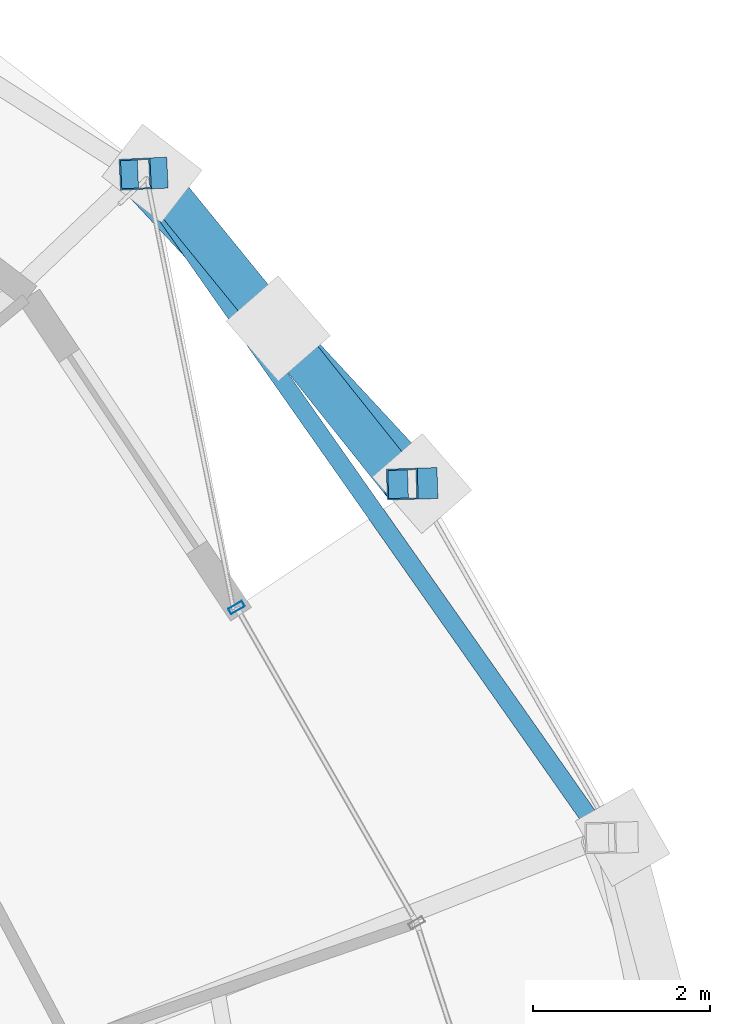
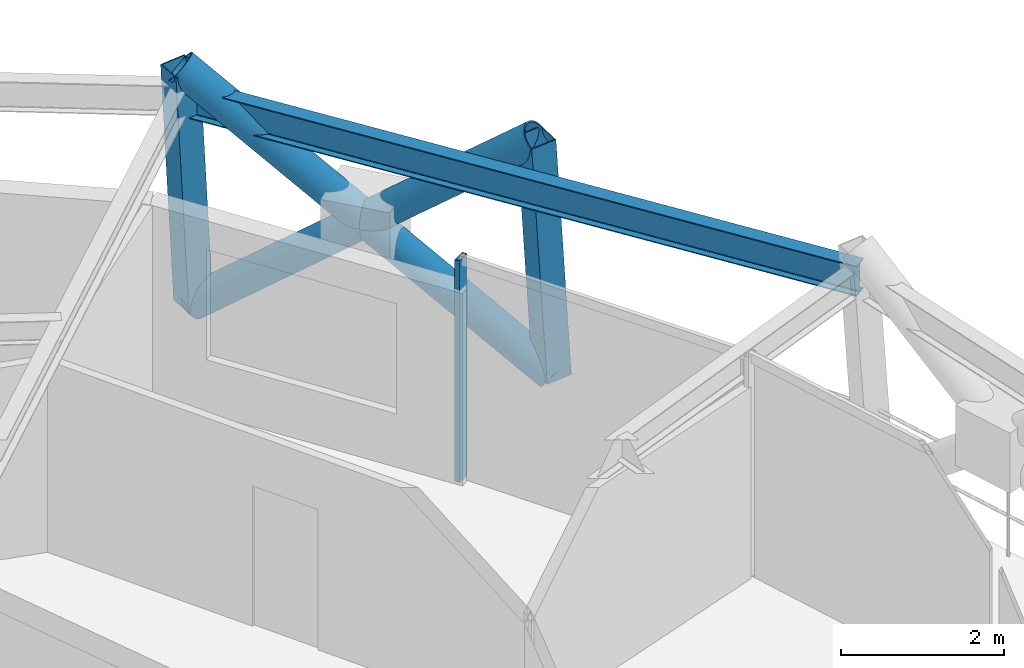
# One storey, part 9 of 17: 6 members, 1 beam, 1 element without a shape of its own.
"""IFC4 building model written with IfcOpenShell, lengths in metres."""

from ifc_helpers import new_model, si_unit, direction, frame, origin, origin_2d, place, context, subcontext, project, spatial, hollow_rectangle, hollow_circle, i_section, extrude, material, layer, layer_set, material_profile, profile_set, type_object, element, aggregate, save


model = new_model("IFC4")

# Units and contexts
model_context = context("Model", 3, precision=1e-05, world=origin(), true_north=direction((0.0, 1.0)))
body_context = subcontext(model_context, "Body", "Model", "MODEL_VIEW")
ifc_project = project(units=[si_unit("LENGTHUNIT", "METRE"), si_unit("AREAUNIT", "SQUARE_METRE"), si_unit("VOLUMEUNIT", "CUBIC_METRE"), si_unit("PLANEANGLEUNIT", "RADIAN"), si_unit("MASSUNIT", "GRAM", prefix="KILO")], contexts=[model_context])

# Site, building, storey
site_placement = place(None, origin())
site = spatial("IfcSite", under=ifc_project, at=site_placement, CompositionType="ELEMENT")
building_placement = place(site_placement, origin())
building = spatial("IfcBuilding", under=site, at=building_placement, Name="Veldorina Hangang Commons", CompositionType="ELEMENT")
storey_placement = place(building_placement, frame((0.0, 0.0, 229.199951171875)))
storey = spatial("IfcBuildingStorey", under=building, at=storey_placement, Name="L59", CompositionType="ELEMENT", Elevation=229.199951171875)

# Beam
ifc_material_1 = material(Name="Steel SM355-TMC", Category="steel")
ifc_material_profile_1 = material_profile(ifc_material_1, i_section(OverallWidth=0.199951171875, OverallDepth=0.449951171875, WebThickness=0.009033203125, FlangeThickness=0.013916015625, FilletRadius=0.01611328125, at=origin_2d()), Name="H-450x200x9x14")
ifc_profile_set_1 = profile_set([ifc_material_profile_1], Name="Steel SM355-TMC")
beam_type = type_object("IfcBeamType", Name="BM-RB450", PredefinedType="BEAM", material=ifc_profile_set_1)
beam_placement = place(storey_placement, frame((54.45068359375, 32.84765625, 3.135009765625), z_axis=(-0.574723801325, 0.818347451998, 0.0), x_axis=(-0.818347451998, -0.574723801325, 0.0)))
element("IfcBeam", 1, at=beam_placement, inside=storey, type_object=beam_type, Name="L59 perimeter hoop ring beam 02", PredefinedType="BEAM", context=body_context, shape_type="SweptSolid", body=[
    extrude(i_section(OverallWidth=0.199951171875, OverallDepth=0.449951171875, WebThickness=0.009033203125, FlangeThickness=0.013916015625, FilletRadius=0.01611328125, at=origin_2d()), origin(), (0.0, 0.0, 1.0), 9.16552734375),
])

# Curtain wall, member
ifc_material_2 = material(Name="Glass Low-E Selective", Category="glass")
ifc_layer = layer(ifc_material_2, 0.179931640625)
ifc_layer_set = layer_set([ifc_layer], Name="Glass Low-E Selective")
curtain_wall_type = type_object("IfcCurtainWallType", Name="CW-SYS-Z3", PredefinedType="NOTDEFINED", material=ifc_layer_set)
curtain_wall_placement = place(storey_placement, origin())
curtain_wall = element("IfcCurtainWall", 2, at=curtain_wall_placement, inside=storey, type_object=curtain_wall_type, Name="L59 unitised curtain wall CW-L59-R2", PredefinedType="NOTDEFINED")
ifc_material_3 = material(Name="Aluminium Anodized AA6063-T6", Category="aluminium")
ifc_material_profile_2 = material_profile(ifc_material_3, hollow_rectangle(XDim=0.070068359375, YDim=0.179931640625, WallThickness=0.00390625, at=origin_2d()), Name="ALU-RHS-180x70x4")
ifc_profile_set_2 = profile_set([ifc_material_profile_2], Name="Aluminium Anodized AA6063-T6")
member_type_1 = type_object("IfcMemberType", Name="CW-MUL-180", PredefinedType="MULLION", material=ifc_profile_set_2)
member_1_placement = place(storey_placement, frame((50.303955078125, 35.450439453125, 0.0), z_axis=(0.0, 0.0, 1.0), x_axis=(0.495792162458, -0.868441207938, 0.0)))
member_1 = element("IfcMember", 3, at=member_1_placement, type_object=member_type_1, Name="CW-L59-R2 vertical mullion 4", PredefinedType="MULLION", context=body_context, shape_type="SweptSolid", body=[
    extrude(hollow_rectangle(XDim=0.070068359375, YDim=0.179931640625, WallThickness=0.00390625, at=origin_2d()), origin(), (0.0, 0.0, 1.0), 3.320068359375),
])
aggregate(curtain_wall, [member_1])

# Members
ifc_material_profile_3 = material_profile(ifc_material_1, hollow_circle(Radius=0.22509765625, WallThickness=0.02197265625, at=origin_2d()), Name="CHS-450x22")
ifc_profile_set_3 = profile_set([ifc_material_profile_3], Name="Steel SM355-TMC")
member_type_2 = type_object("IfcMemberType", Name="DG-CHS450", PredefinedType="BRACE", material=ifc_profile_set_3)
member_2_placement = place(storey_placement, frame((52.3994140625, 36.8505859375, 0.0), z_axis=(-0.542481114092, 0.585269853467, 0.602638730481), x_axis=(-0.733407877631, -0.679788853269, 0.0)))
element("IfcMember", 4, at=member_2_placement, inside=storey, type_object=member_type_2, Name="L59 continuous perimeter diagrid brace 03", PredefinedType="BRACE", context=body_context, shape_type="SweptSolid", body=[
    extrude(hollow_circle(Radius=0.22509765625, WallThickness=0.02197265625, at=origin_2d()), origin(), (0.0, 0.0, 1.0), 5.973876953125),
])
member_3_placement = place(storey_placement, frame((49.34814453125, 40.355712890625, 0.0), z_axis=(0.493349466134, -0.606049934527, 0.623946937748), x_axis=(0.77552879317, 0.6313121977, 0.0)))
element("IfcMember", 5, at=member_3_placement, inside=storey, type_object=member_type_2, Name="L59 split perimeter diagrid lower brace 04", PredefinedType="BRACE", context=body_context, shape_type="SweptSolid", body=[
    extrude(hollow_circle(Radius=0.22509765625, WallThickness=0.02197265625, at=origin_2d()), origin(), (0.0, 0.0, 1.0), 2.89208984375),
])
member_4_placement = place(storey_placement, frame((50.77490234375, 38.60302734375, 1.804443359375), z_axis=(0.486977598813, -0.611245528139, 0.623884382385), x_axis=(0.782127324534, 0.623118646982, 0.0)))
element("IfcMember", 6, at=member_4_placement, inside=storey, type_object=member_type_2, Name="L59 split perimeter diagrid upper brace 04", PredefinedType="BRACE", context=body_context, shape_type="SweptSolid", body=[
    extrude(hollow_circle(Radius=0.22509765625, WallThickness=0.02197265625, at=origin_2d()), origin(), (0.0, 0.0, 1.0), 2.878173828125),
])
ifc_material_profile_4 = material_profile(ifc_material_1, hollow_rectangle(XDim=0.35009765625, YDim=0.35009765625, WallThickness=0.01611328125, at=origin_2d()), Name="SHS-350x350x16")
ifc_profile_set_4 = profile_set([ifc_material_profile_4], Name="Steel SM355-TMC")
member_type_3 = type_object("IfcMemberType", Name="STR-SHS350", PredefinedType="STRUT", material=ifc_profile_set_4)
member_5_placement = place(storey_placement, frame((52.3994140625, 36.8505859375, 0.0), z_axis=(-0.061796649646, -0.001895187503, 0.99808696132), x_axis=(0.030653715011, -0.999530064458, 0.0)))
element("IfcMember", 7, at=member_5_placement, inside=storey, type_object=member_type_3, Name="L59 perimeter ring node post 03", PredefinedType="STRUT", context=body_context, shape_type="SweptSolid", body=[
    extrude(hollow_rectangle(XDim=0.35009765625, YDim=0.35009765625, WallThickness=0.01611328125, at=origin_2d()), origin(), (0.0, 0.0, 1.0), 3.60693359375),
])
member_6_placement = place(storey_placement, frame((49.34814453125, 40.355712890625, 0.0), z_axis=(-0.052551568082, -0.002437959344, 0.998615235737), x_axis=(0.046341910972, -0.998925636515, 0.0)))
element("IfcMember", 8, at=member_6_placement, inside=storey, type_object=member_type_3, Name="L59 perimeter ring node post 04", PredefinedType="STRUT", context=body_context, shape_type="SweptSolid", body=[
    extrude(hollow_rectangle(XDim=0.35009765625, YDim=0.35009765625, WallThickness=0.01611328125, at=origin_2d()), origin(), (0.0, 0.0, 1.0), 3.60498046875),
])

save(model, "model.ifc")
